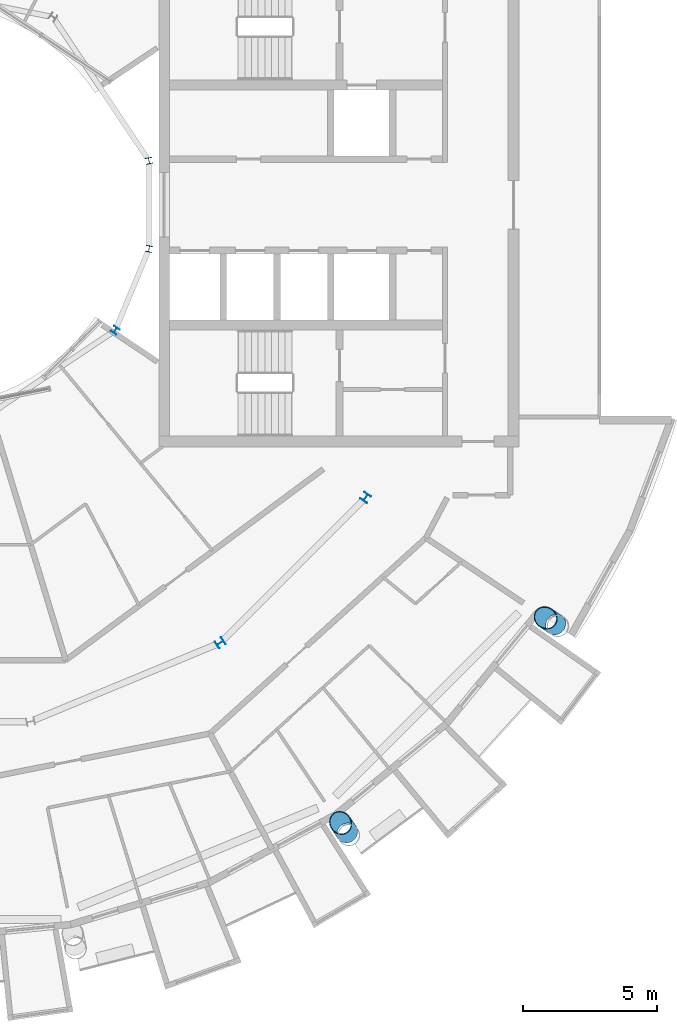
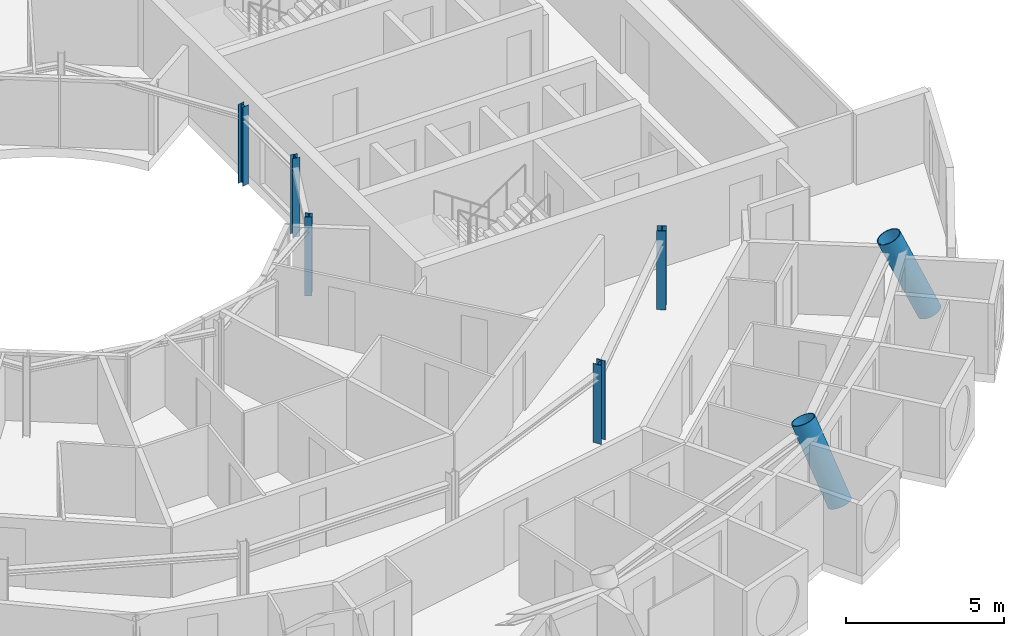
# One storey, part 3 of 28: 7 columns.
"""IFC4 building model written with IfcOpenShell, lengths in metres."""

from ifc_helpers import new_model, si_unit, direction, frame, origin, origin_2d, place, context, subcontext, project, spatial, hollow_circle, i_section, extrude, material, material_profile, profile_set, type_object, element, save


model = new_model("IFC4")

# Units and contexts
model_context = context("Model", 3, precision=1e-05, world=origin(), true_north=direction((0.0, 1.0)))
body_context = subcontext(model_context, "Body", "Model", "MODEL_VIEW")
ifc_project = project(units=[si_unit("LENGTHUNIT", "METRE"), si_unit("AREAUNIT", "SQUARE_METRE"), si_unit("VOLUMEUNIT", "CUBIC_METRE"), si_unit("PLANEANGLEUNIT", "RADIAN"), si_unit("MASSUNIT", "GRAM", prefix="KILO")], contexts=[model_context])

# Site, building, storey
site_placement = place(None, origin())
site = spatial("IfcSite", under=ifc_project, at=site_placement, CompositionType="ELEMENT")
building_placement = place(site_placement, origin())
building = spatial("IfcBuilding", under=site, at=building_placement, Name="Maasbend Ring Residences", CompositionType="ELEMENT")
storey_placement = place(building_placement, frame((0.0, 0.0, 231.0)))
storey = spatial("IfcBuildingStorey", under=building, at=storey_placement, Name="L66", CompositionType="ELEMENT", Elevation=231.0)

# Columns
ifc_material_1 = material(Name="Composite concrete-filled steel tube S460NH / C80/95", Category="concrete")
ifc_material_profile_1 = material_profile(ifc_material_1, hollow_circle(Radius=0.406494140625, WallThickness=0.030029296875, at=origin_2d()), Name="Composite tube column CHS 813x30")
ifc_profile_set_1 = profile_set([ifc_material_profile_1], Name="Composite concrete-filled steel tube S460NH / C80/95")
column_type_1 = type_object("IfcColumnType", Name="Composite tube column CHS 813x30", PredefinedType="COLUMN", material=ifc_profile_set_1)
for number, where, z_axis, x_axis, name in (
    (1, (15.60546875, -23.35498046875, 0.24169921875), (-0.231740204333, 0.34678068763, 0.908867224837), (-0.831437761556, -0.555617898073, 0.0), "Outer column R14"),
    (2, (23.35498046875, -15.60546875, 0.24169921875), (-0.34678068763, 0.231740204333, 0.908867224837), (-0.555617898073, -0.831437761556, 0.0), "Outer column R15"),
):
    element("IfcColumn", number, at=place(storey_placement, frame(where, z_axis=z_axis, x_axis=x_axis)), inside=storey, type_object=column_type_1, Name=name, PredefinedType="COLUMN", context=body_context, shape_type="SweptSolid", body=[
        extrude(hollow_circle(Radius=0.406494140625, WallThickness=0.030029296875, at=origin_2d()), origin(), (0.0, 0.0, 1.0), 3.08984375),
    ])
ifc_material_2 = material(Name="Steel S355J2", Category="steel")
ifc_material_profile_2 = material_profile(ifc_material_2, i_section(OverallWidth=0.239990234375, OverallDepth=0.22998046875, WebThickness=0.007568359375, FlangeThickness=0.011962890625, FilletRadius=0.02099609375, at=origin_2d()), Name="HEA 240")
ifc_profile_set_2 = profile_set([ifc_material_profile_2], Name="Steel S355J2")
column_type_2 = type_object("IfcColumnType", Name="Steel column HEA 240", PredefinedType="COLUMN", material=ifc_profile_set_2)
for number, where, z_axis, x_axis, name in (
    (3, (8.238525390625, 1.638916015625, 0.0), (0.0, 0.0, 1.0), (0.980785280403, 0.195090322016, 0.0), "Well ring column R1"),
    (4, (6.984375, -4.666748046875, 0.0), (0.0, 0.0, 1.0), (0.831469612303, -0.55557023302, 0.0), "Well ring column R15"),
    (5, (8.238525390625, -1.638916015625, 0.0), (0.0, 0.0, 1.0), (0.980785280403, -0.195090322016, 0.0), "Well ring column R16"),
):
    element("IfcColumn", number, at=place(storey_placement, frame(where, z_axis=z_axis, x_axis=x_axis)), inside=storey, type_object=column_type_2, Name=name, PredefinedType="COLUMN", context=body_context, shape_type="SweptSolid", body=[
        extrude(i_section(OverallWidth=0.239990234375, OverallDepth=0.22998046875, WebThickness=0.007568359375, FlangeThickness=0.011962890625, FilletRadius=0.02099609375, at=origin_2d()), origin(), (0.0, 0.0, 1.0), 3.050048828125),
    ])
ifc_material_3 = material(Name="Steel S355J2", Category="steel")
ifc_material_profile_3 = material_profile(ifc_material_3, i_section(OverallWidth=0.300048828125, OverallDepth=0.300048828125, WebThickness=0.010986328125, FlangeThickness=0.01904296875, FilletRadius=0.027099609375, at=origin_2d()), Name="HEB 300")
ifc_profile_set_3 = profile_set([ifc_material_profile_3], Name="Steel S355J2")
column_type_3 = type_object("IfcColumnType", Name="Steel column HEB 300", PredefinedType="COLUMN", material=ifc_profile_set_3)
for number, where, z_axis, x_axis, name in (
    (6, (10.88916015625, -16.296875, 0.0), (0.0, 0.0, 1.0), (0.55557023302, -0.831469612303, 0.0), "Corridor ring column R14"),
    (7, (16.296875, -10.88916015625, 0.0), (0.0, 0.0, 1.0), (0.831469612303, -0.55557023302, 0.0), "Corridor ring column R15"),
):
    element("IfcColumn", number, at=place(storey_placement, frame(where, z_axis=z_axis, x_axis=x_axis)), inside=storey, type_object=column_type_3, Name=name, PredefinedType="COLUMN", context=body_context, shape_type="SweptSolid", body=[
        extrude(i_section(OverallWidth=0.300048828125, OverallDepth=0.300048828125, WebThickness=0.010986328125, FlangeThickness=0.01904296875, FilletRadius=0.027099609375, at=origin_2d()), origin(), (0.0, 0.0, 1.0), 3.050048828125),
    ])

save(model, "model.ifc")
